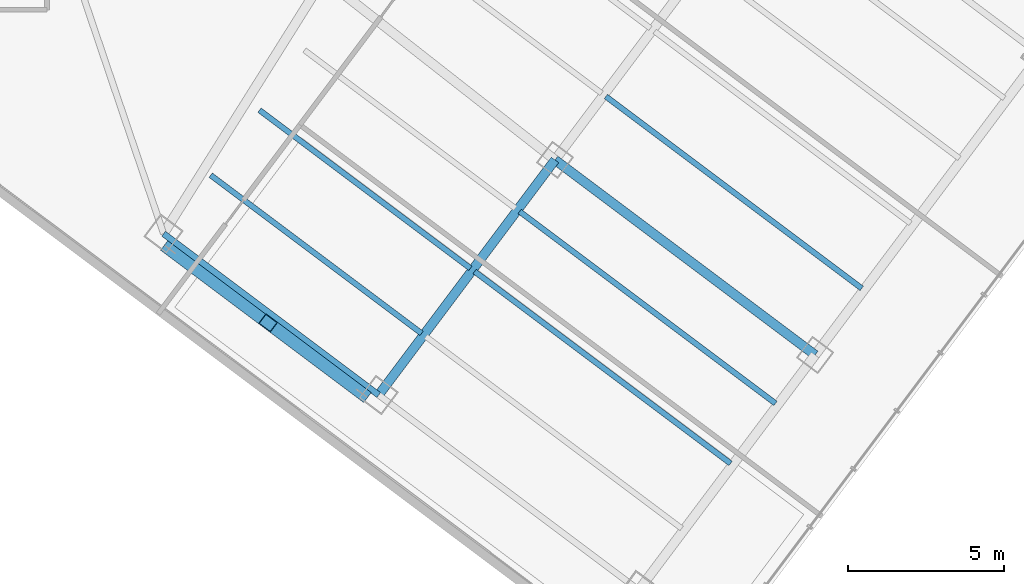
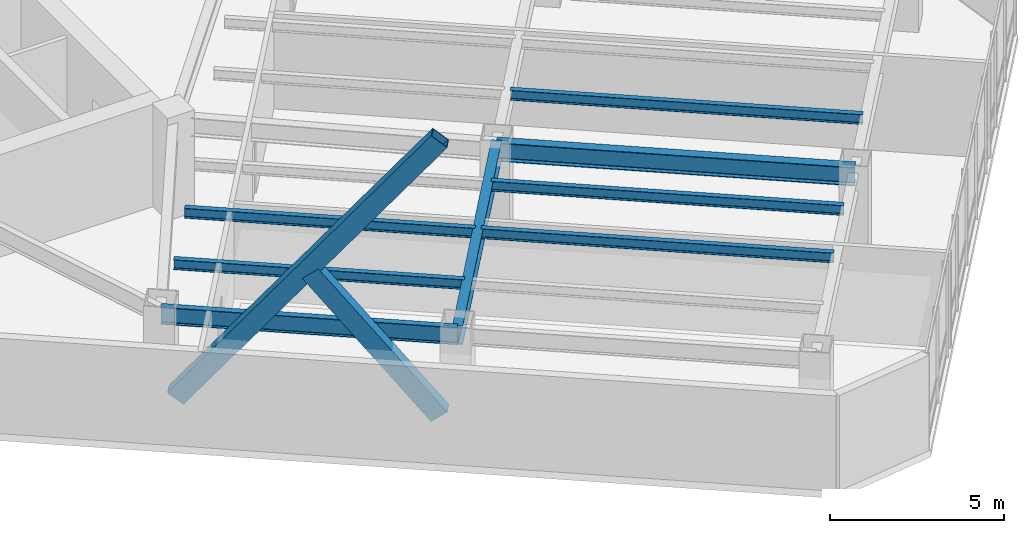
# One storey, part 7 of 29: 8 beams, 2 members.
"""IFC4 building model written with IfcOpenShell, lengths in metres."""

from ifc_helpers import new_model, si_unit, direction, frame, origin, origin_2d, place, context, subcontext, project, spatial, hollow_rectangle, i_section, extrude, material, material_profile, profile_set, type_object, element, save


model = new_model("IFC4")

# Units and contexts
model_context = context("Model", 3, precision=1e-05, world=origin(), true_north=direction((0.0, 1.0)))
body_context = subcontext(model_context, "Body", "Model", "MODEL_VIEW")
ifc_project = project(units=[si_unit("LENGTHUNIT", "METRE"), si_unit("AREAUNIT", "SQUARE_METRE"), si_unit("VOLUMEUNIT", "CUBIC_METRE"), si_unit("PLANEANGLEUNIT", "RADIAN"), si_unit("MASSUNIT", "GRAM", prefix="KILO")], contexts=[model_context])

# Site, building, storey
site_placement = place(None, origin())
site = spatial("IfcSite", under=ifc_project, at=site_placement, CompositionType="ELEMENT")
building_placement = place(site_placement, origin())
building = spatial("IfcBuilding", under=site, at=building_placement, Name="Hatsunagi Terrace Concourse", CompositionType="ELEMENT")
storey_placement = place(building_placement, frame((0.0, 0.0, 119.25)))
storey = spatial("IfcBuildingStorey", under=building, at=storey_placement, Name="L31", CompositionType="ELEMENT", Elevation=119.25)

# Beams
ifc_material_1 = material(Name="Steel SN490B", Category="steel")
ifc_material_profile_1 = material_profile(ifc_material_1, i_section(OverallWidth=0.175048828125, OverallDepth=0.35009765625, WebThickness=0.007080078125, FlangeThickness=0.010986328125, FilletRadius=0.012939453125, at=origin_2d()), Name="H-350x175x7x11")
ifc_profile_set_1 = profile_set([ifc_material_profile_1], Name="Steel SN490B")
beam_type_1 = type_object("IfcBeamType", Name="HotelJoist_H_350x175", PredefinedType="JOIST", material=ifc_profile_set_1)
for number, where, z_axis, x_axis, name in (
    (1, (40.18798828125, 17.908935546875, 3.175048828125), (0.800003475366, -0.59999536615, 0.0), (0.59999536615, 0.800003475366, 0.0), "Beam J-02 J-L31-SE-2-46"),
    (2, (41.748046875, 19.989013671875, 3.175048828125), (0.799989573921, -0.600013901187, 0.0), (0.600013901187, 0.799989573921, 0.0), "Beam J-02 J-L31-SE-2-72"),
):
    element("IfcBeam", number, at=place(storey_placement, frame(where, z_axis=z_axis, x_axis=x_axis)), inside=storey, type_object=beam_type_1, Name=name, PredefinedType="JOIST", context=body_context, shape_type="SweptSolid", body=[
        extrude(i_section(OverallWidth=0.175048828125, OverallDepth=0.35009765625, WebThickness=0.007080078125, FlangeThickness=0.010986328125, FilletRadius=0.012939453125, at=origin_2d()), origin(), (0.0, 0.0, 1.0), 8.429931640625),
    ])
beam_1_placement = place(storey_placement, frame((48.6279296875, 14.8291015625, 3.175048828125), z_axis=(0.799994272423, -0.600007636694, 0.0), x_axis=(0.600007636694, 0.799994272423, 0.0)))
element("IfcBeam", 3, at=beam_1_placement, inside=storey, type_object=beam_type_1, Name="Beam J-02 J-L31-SE-3-72", PredefinedType="JOIST", context=body_context, shape_type="SweptSolid", body=[
    extrude(i_section(OverallWidth=0.175048828125, OverallDepth=0.35009765625, WebThickness=0.007080078125, FlangeThickness=0.010986328125, FilletRadius=0.012939453125, at=origin_2d()), origin(), (0.0, 0.0, 1.0), 10.230224609375),
])
beam_2_placement = place(storey_placement, frame((50.068115234375, 16.7490234375, 3.175048828125), z_axis=(0.799997136125, -0.600003818481, 0.0), x_axis=(0.600003818481, 0.799997136125, 0.0)))
element("IfcBeam", 4, at=beam_2_placement, inside=storey, type_object=beam_type_1, Name="Beam J-02 J-L31-SE-3-96", PredefinedType="JOIST", context=body_context, shape_type="SweptSolid", body=[
    extrude(i_section(OverallWidth=0.175048828125, OverallDepth=0.35009765625, WebThickness=0.007080078125, FlangeThickness=0.010986328125, FilletRadius=0.012939453125, at=origin_2d()), origin(), (0.0, 0.0, 1.0), 10.229736328125),
])
beam_3_placement = place(storey_placement, frame((52.827880859375, 20.428955078125, 3.175048828125), z_axis=(0.800005727586, -0.599992363142, 0.0), x_axis=(0.599992363142, 0.800005727586, 0.0)))
element("IfcBeam", 5, at=beam_3_placement, inside=storey, type_object=beam_type_1, Name="Beam J-02 J-L31-SE-3-142", PredefinedType="JOIST", context=body_context, shape_type="SweptSolid", body=[
    extrude(i_section(OverallWidth=0.175048828125, OverallDepth=0.35009765625, WebThickness=0.007080078125, FlangeThickness=0.010986328125, FilletRadius=0.012939453125, at=origin_2d()), origin(), (0.0, 0.0, 1.0), 10.22998046875),
])
ifc_material_2 = material(Name="Steel SN490B", Category="steel")
ifc_material_profile_2 = material_profile(ifc_material_2, i_section(OverallWidth=0.300048828125, OverallDepth=0.64990234375, WebThickness=0.012939453125, FlangeThickness=0.02197265625, FilletRadius=0.01806640625, at=origin_2d()), Name="H-650x300x13x22")
ifc_profile_set_2 = profile_set([ifc_material_profile_2], Name="Steel SN490B")
beam_type_2 = type_object("IfcBeamType", Name="OfficeLowGirder_H_650x300", PredefinedType="BEAM", material=ifc_profile_set_2)
beam_4_placement = place(storey_placement, frame((45.56005859375, 10.8798828125, 3.02490234375), z_axis=(0.599991688754, 0.800006233367, 0.0), x_axis=(-0.800006233367, 0.599991688754, 0.0)))
element("IfcBeam", 6, at=beam_4_placement, inside=storey, type_object=beam_type_2, Name="Beam G-05 BM-L31-SET-2A", PredefinedType="BEAM", context=body_context, shape_type="SweptSolid", body=[
    extrude(i_section(OverallWidth=0.300048828125, OverallDepth=0.64990234375, WebThickness=0.012939453125, FlangeThickness=0.02197265625, FilletRadius=0.01806640625, at=origin_2d()), origin(), (0.0, 0.0, 1.0), 9.39990234375),
])
beam_5_placement = place(storey_placement, frame((51.199951171875, 18.39990234375, 3.02490234375), z_axis=(0.800002816985, -0.599996244001, 0.0), x_axis=(0.599996244001, 0.800002816985, 0.0)))
element("IfcBeam", 7, at=beam_5_placement, inside=storey, type_object=beam_type_2, Name="Beam G-05 BM-L31-SE-M3", PredefinedType="BEAM", context=body_context, shape_type="SweptSolid", body=[
    extrude(i_section(OverallWidth=0.300048828125, OverallDepth=0.64990234375, WebThickness=0.012939453125, FlangeThickness=0.02197265625, FilletRadius=0.01806640625, at=origin_2d()), origin(), (0.0, 0.0, 1.0), 10.400146484375),
])
ifc_material_3 = material(Name="Steel SN490B", Category="steel")
ifc_material_profile_3 = material_profile(ifc_material_3, i_section(OverallWidth=0.199951171875, OverallDepth=0.60009765625, WebThickness=0.010986328125, FlangeThickness=0.01708984375, FilletRadius=0.01806640625, at=origin_2d()), Name="H-600x200x11x17")
ifc_profile_set_3 = profile_set([ifc_material_profile_3], Name="Steel SN490B")
beam_type_3 = type_object("IfcBeamType", Name="PerimeterSpandrel_H_600x200", PredefinedType="SPANDREL", material=ifc_profile_set_3)
beam_6_placement = place(storey_placement, frame((38.679931640625, 16.0400390625, 3.050048828125), z_axis=(0.799996593451, -0.600004542038, 0.0), x_axis=(0.600004542038, 0.799996593451, 0.0)))
element("IfcBeam", 8, at=beam_6_placement, inside=storey, type_object=beam_type_3, Name="Beam SP-01 BM-L31-SE-SW2", PredefinedType="SPANDREL", context=body_context, shape_type="SweptSolid", body=[
    extrude(i_section(OverallWidth=0.199951171875, OverallDepth=0.60009765625, WebThickness=0.010986328125, FlangeThickness=0.01708984375, FilletRadius=0.01806640625, at=origin_2d()), origin(), (0.0, 0.0, 1.0), 8.60009765625),
])

# Members
ifc_material_4 = material(Name="Steel SN490B", Category="steel")
ifc_material_profile_4 = material_profile(ifc_material_4, hollow_rectangle(XDim=0.39990234375, YDim=0.60009765625, WallThickness=0.02490234375, at=origin_2d()), Name="RHS-600x400x25")
ifc_profile_set_4 = profile_set([ifc_material_profile_4], Name="Steel SN490B")
member_type = type_object("IfcMemberType", Name="PerimeterXBrace_Mid_RHS_600x400x25", PredefinedType="BRACE", material=ifc_profile_set_4)
member_1_placement = place(storey_placement, frame((38.89208984375, 15.531005859375, 0.43994140625), z_axis=(0.496331966164, -0.372263824784, 0.784266679211), x_axis=(0.600015318615, 0.799988510809, 0.0)))
element("IfcMember", 9, at=member_1_placement, inside=storey, type_object=member_type, Name="Perimeter X-Brace XB-02 XB-L31-SEA", PredefinedType="BRACE", context=body_context, shape_type="SweptSolid", body=[
    extrude(hollow_rectangle(XDim=0.39990234375, YDim=0.60009765625, WallThickness=0.02490234375, at=origin_2d()), origin(), (0.0, 0.0, 1.0), 12.330322265625),
])
member_2_placement = place(storey_placement, frame((42.02099609375, 13.18408203125, 5.1650390625), z_axis=(0.496401477107, -0.372290978015, -0.784209794133), x_axis=(0.59998955172, 0.800007836104, 0.0)))
element("IfcMember", 10, at=member_2_placement, inside=storey, type_object=member_type, Name="Perimeter X-Brace Split Lower XB-02 XB-L31-SEB2", PredefinedType="BRACE", context=body_context, shape_type="SweptSolid", body=[
    extrude(hollow_rectangle(XDim=0.39990234375, YDim=0.60009765625, WallThickness=0.02490234375, at=origin_2d()), origin(), (0.0, 0.0, 1.0), 6.025390625),
])

save(model, "model.ifc")
